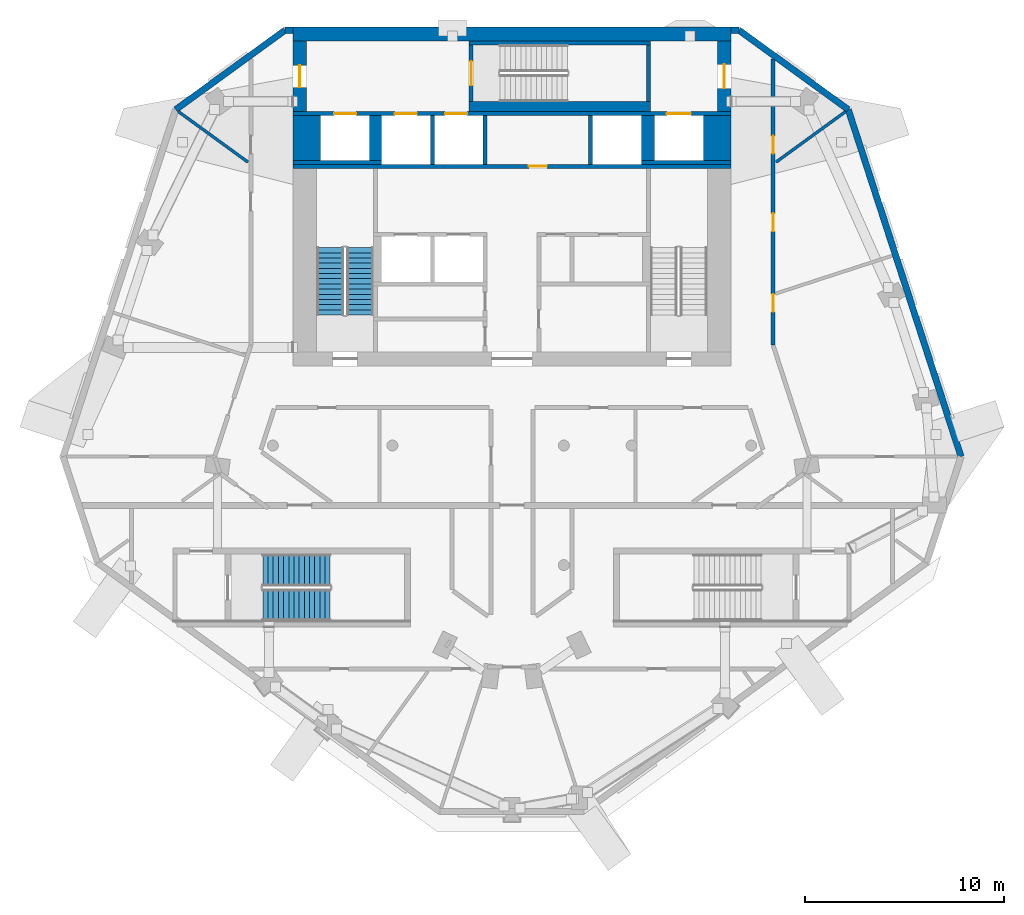
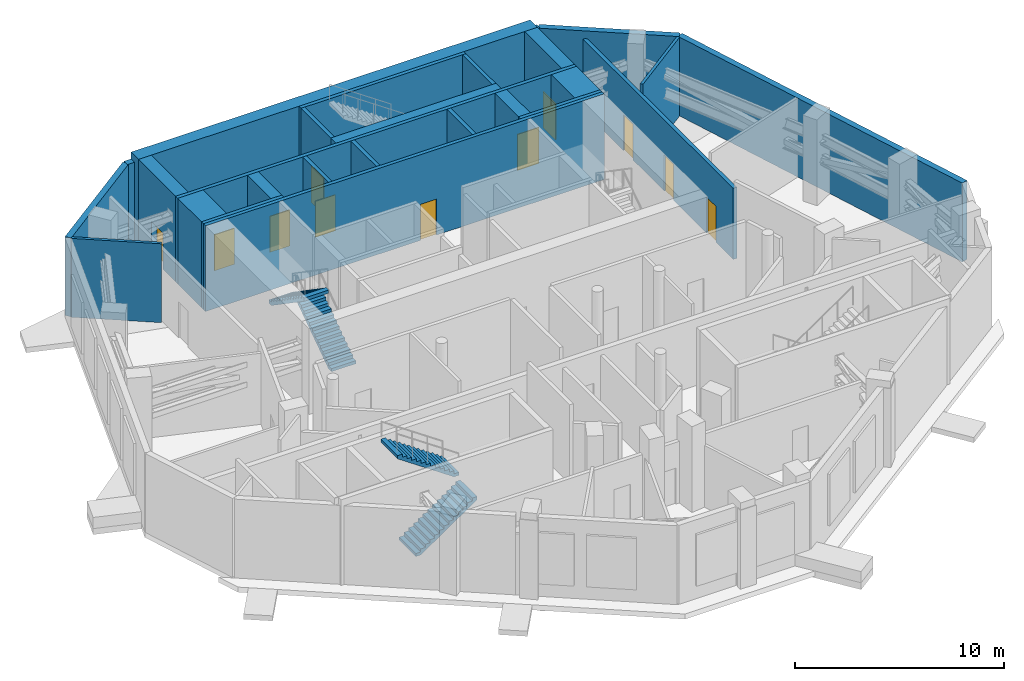
# One storey, part 9 of 15: 26 walls, 11 doors, 4 stair flights, 11 openings, 2 elements without a shape of their own.
"""IFC4 building model written with IfcOpenShell, lengths in metres."""

from ifc_helpers import new_model, si_unit, direction, frame, frame_2d, origin, place, context, subcontext, project, spatial, polyline, rectangle, outline, extrude, material, layer, layer_set, type_object, element, fill, aggregate, save


model = new_model("IFC4")

# Units and contexts
model_context = context("Model", 3, precision=1e-05, world=origin(), true_north=direction((0.0, 1.0)))
body_context = subcontext(model_context, "Body", "Model", "MODEL_VIEW")
ifc_project = project(units=[si_unit("LENGTHUNIT", "METRE"), si_unit("AREAUNIT", "SQUARE_METRE"), si_unit("VOLUMEUNIT", "CUBIC_METRE"), si_unit("PLANEANGLEUNIT", "RADIAN"), si_unit("MASSUNIT", "GRAM", prefix="KILO")], contexts=[model_context])

# Site, building, storey
site_placement = place(None, origin())
site = spatial("IfcSite", under=ifc_project, at=site_placement, CompositionType="ELEMENT")
building_placement = place(site_placement, origin())
building = spatial("IfcBuilding", under=site, at=building_placement, Name="White Candle Pilgrim Tower", CompositionType="ELEMENT")
storey_placement = place(building_placement, frame((0.0, 0.0, 295.10009765625)))
storey = spatial("IfcBuildingStorey", under=building, at=storey_placement, Name="L70", CompositionType="ELEMENT", Elevation=295.10009765625)

# Walls
ifc_material_1 = material(Name="Concrete C50/60", Category="concrete")
ifc_layer_1 = layer(ifc_material_1, 1.39990234375)
ifc_layer_set_1 = layer_set([ifc_layer_1], Name="Core wall 1400 mm Concrete C50/60")
wall_type_1 = type_object("IfcWallType", Name="Core wall 1400 mm Concrete C50/60", PredefinedType="SHEAR", material=ifc_layer_set_1)
for number, where, z_axis, x_axis, name in (
    (1, (59.699951171875, 81.300048828125, 0.0), (0.0, 0.0, 1.0), (0.0, 1.0, 0.0), "WL-L70-C41"),
    (2, (80.300048828125, 81.300048828125, 0.0), (0.0, 0.0, 1.0), (0.0, 1.0, 0.0), "WL-L70-C44"),
):
    element("IfcWall", number, at=place(storey_placement, frame(where, z_axis=z_axis, x_axis=x_axis)), inside=storey, type_object=wall_type_1, Name=name, PredefinedType="SHEAR", context=body_context, shape_type="SweptSolid", body=[
        extrude(rectangle(XDim=2.25, YDim=1.39990234375, at=frame_2d((1.125, 0.0))), origin(), (0.0, 0.0, 1.0), 5.0),
    ])
ifc_layer_2 = layer(ifc_material_1, 0.199951171875)
ifc_layer_set_2 = layer_set([ifc_layer_2], Name="Core wall 200 mm Concrete C50/60")
wall_type_2 = type_object("IfcWallType", Name="Core wall 200 mm Concrete C50/60", PredefinedType="SHEAR", material=ifc_layer_set_2)
wall_1_placement = place(storey_placement, frame((59.0, 81.199951171875, 0.0), z_axis=(0.0, 0.0, 1.0), x_axis=(1.0, 0.0, 0.0)))
element("IfcWall", 3, at=wall_1_placement, inside=storey, type_object=wall_type_2, Name="WL-L70-C36", PredefinedType="SHEAR", context=body_context, shape_type="SweptSolid", body=[
    extrude(rectangle(XDim=4.449951171875, YDim=0.199951171875, at=frame_2d((2.22509765625, 0.0))), origin(), (0.0, 0.0, 1.0), 5.0),
])
wall_2_placement = place(storey_placement, frame((76.5, 81.199951171875, 0.0), z_axis=(0.0, 0.0, 1.0), x_axis=(1.0, 0.0, 0.0)))
element("IfcWall", 4, at=wall_2_placement, inside=storey, type_object=wall_type_2, Name="WL-L70-C40", PredefinedType="SHEAR", context=body_context, shape_type="SweptSolid", body=[
    extrude(rectangle(XDim=4.5, YDim=0.199951171875, at=frame_2d((2.25, 0.0))), origin(), (0.0, 0.0, 1.0), 5.0),
])

# Wall, openings, doors
wall_3_placement = place(storey_placement, frame((59.0, 83.64990234375, 0.0), z_axis=(0.0, 0.0, 1.0), x_axis=(1.0, 0.0, 0.0)))
wall_3 = element("IfcWall", 5, at=wall_3_placement, inside=storey, type_object=wall_type_2, Name="WL-L70-C45", PredefinedType="SHEAR", context=body_context, shape_type="SweptSolid", body=[
    extrude(rectangle(XDim=22.0, YDim=0.199951171875, at=frame_2d((11.0, 0.0))), origin(), (0.0, 0.0, 1.0), 5.0),
])
opening_1_placement = place(wall_3_placement, frame((5.125, 0.0, 0.0)))
opening_1 = element("IfcOpeningElement", 6, at=opening_1_placement, cuts=wall_3, Name="Opening L70-016", PredefinedType="OPENING", context=body_context, shape_type="SweptSolid", body=[
    extrude(rectangle(XDim=1.10009765625, YDim=2.10009765625, at=frame_2d((0.550048828125, 1.050048828125))), frame((0.0, 0.10986328125, 0.0), z_axis=(0.0, -1.0, 0.0), x_axis=(1.0, 0.0, 0.0)), (0.0, 0.0, 1.0), 0.219970703125),
])
opening_2_placement = place(wall_3_placement, frame((7.64990234375, 0.0, 0.0)))
opening_2 = element("IfcOpeningElement", 7, at=opening_2_placement, cuts=wall_3, Name="Opening L70-017", PredefinedType="OPENING", context=body_context, shape_type="SweptSolid", body=[
    extrude(rectangle(XDim=1.10009765625, YDim=2.10009765625, at=frame_2d((0.550048828125, 1.050048828125))), frame((0.0, 0.10986328125, 0.0), z_axis=(0.0, -1.0, 0.0), x_axis=(1.0, 0.0, 0.0)), (0.0, 0.0, 1.0), 0.219970703125),
])
opening_3_placement = place(wall_3_placement, frame((18.77490234375, 0.0, 0.0)))
opening_3 = element("IfcOpeningElement", 8, at=opening_3_placement, cuts=wall_3, Name="Opening L70-018", PredefinedType="OPENING", context=body_context, shape_type="SweptSolid", body=[
    extrude(rectangle(XDim=1.199951171875, YDim=2.10009765625, at=frame_2d((0.60009765625, 1.050048828125))), frame((0.0, 0.10986328125, 0.0), z_axis=(0.0, -1.0, 0.0), x_axis=(1.0, 0.0, 0.0)), (0.0, 0.0, 1.0), 0.219970703125),
])
opening_4_placement = place(wall_3_placement, frame((2.074951171875, 0.0, 0.0)))
opening_4 = element("IfcOpeningElement", 9, at=opening_4_placement, cuts=wall_3, Name="Opening L70-019", PredefinedType="OPENING", context=body_context, shape_type="SweptSolid", body=[
    extrude(rectangle(XDim=1.10009765625, YDim=2.10009765625, at=frame_2d((0.550048828125, 1.050048828125))), frame((0.0, 0.10986328125, 0.0), z_axis=(0.0, -1.0, 0.0), x_axis=(1.0, 0.0, 0.0)), (0.0, 0.0, 1.0), 0.219970703125),
])
ifc_material_2 = material(Name="Stainless steel", Category="steel")
door_type_1 = type_object("IfcDoorType", Name="Lift landing door 1100 x 2100 EI 60", OperationType="DOUBLE_DOOR_SLIDING", PredefinedType="DOOR", material=ifc_material_2)
door_1_placement = place(opening_1_placement, origin())
door_1 = element("IfcDoor", 10, at=door_1_placement, inside=storey, type_object=door_type_1, Name="Door L70-016", OperationType="DOUBLE_DOOR_SLIDING", OverallHeight=2.10009765625, OverallWidth=1.10009765625, PredefinedType="DOOR", context=body_context, shape_type="SweptSolid", body=[
    extrude(rectangle(XDim=1.10009765625, YDim=2.10009765625, at=frame_2d((0.550048828125, 1.050048828125))), frame((0.0, 0.02490234375, 0.0), z_axis=(0.0, -1.0, 0.0), x_axis=(1.0, 0.0, 0.0)), (0.0, 0.0, 1.0), 0.050048828125),
])
fill(opening_1, door_1)
door_2_placement = place(opening_2_placement, origin())
door_2 = element("IfcDoor", 11, at=door_2_placement, inside=storey, type_object=door_type_1, Name="Door L70-017", OperationType="DOUBLE_DOOR_SLIDING", OverallHeight=2.10009765625, OverallWidth=1.10009765625, PredefinedType="DOOR", context=body_context, shape_type="SweptSolid", body=[
    extrude(rectangle(XDim=1.10009765625, YDim=2.10009765625, at=frame_2d((0.550048828125, 1.050048828125))), frame((0.0, 0.02490234375, 0.0), z_axis=(0.0, -1.0, 0.0), x_axis=(1.0, 0.0, 0.0)), (0.0, 0.0, 1.0), 0.050048828125),
])
fill(opening_2, door_2)
door_3_placement = place(opening_4_placement, origin())
door_3 = element("IfcDoor", 12, at=door_3_placement, inside=storey, type_object=door_type_1, Name="Door L70-019", OperationType="DOUBLE_DOOR_SLIDING", OverallHeight=2.10009765625, OverallWidth=1.10009765625, PredefinedType="DOOR", context=body_context, shape_type="SweptSolid", body=[
    extrude(rectangle(XDim=1.10009765625, YDim=2.10009765625, at=frame_2d((0.550048828125, 1.050048828125))), frame((0.0, 0.02490234375, 0.0), z_axis=(0.0, -1.0, 0.0), x_axis=(1.0, 0.0, 0.0)), (0.0, 0.0, 1.0), 0.050048828125),
])
fill(opening_4, door_3)
door_type_2 = type_object("IfcDoorType", Name="Lift landing door 1200 x 2100 E 60", OperationType="DOUBLE_DOOR_SLIDING", PredefinedType="DOOR", material=ifc_material_2)
door_4_placement = place(opening_3_placement, origin())
door_4 = element("IfcDoor", 13, at=door_4_placement, inside=storey, type_object=door_type_2, Name="Door L70-018", OperationType="DOUBLE_DOOR_SLIDING", OverallHeight=2.10009765625, OverallWidth=1.199951171875, PredefinedType="DOOR", context=body_context, shape_type="SweptSolid", body=[
    extrude(rectangle(XDim=1.199951171875, YDim=2.10009765625, at=frame_2d((0.60009765625, 1.050048828125))), frame((0.0, 0.02490234375, 0.0), z_axis=(0.0, -1.0, 0.0), x_axis=(1.0, 0.0, 0.0)), (0.0, 0.0, 1.0), 0.050048828125),
])
fill(opening_3, door_4)

# Wall, opening, door
ifc_layer_3 = layer(ifc_material_1, 0.699951171875)
ifc_layer_set_3 = layer_set([ifc_layer_3], Name="Core wall 700 mm Concrete C50/60")
wall_type_3 = type_object("IfcWallType", Name="Core wall 700 mm Concrete C50/60", PredefinedType="SHEAR", material=ifc_layer_set_3)
wall_4_placement = place(storey_placement, frame((59.35009765625, 83.75, 0.0), z_axis=(0.0, 0.0, 1.0), x_axis=(0.0, 1.0, 0.0)))
wall_4 = element("IfcWall", 14, at=wall_4_placement, inside=storey, type_object=wall_type_3, Name="WL-L70-C46", PredefinedType="SHEAR", context=body_context, shape_type="SweptSolid", body=[
    extrude(rectangle(XDim=3.550048828125, YDim=0.699951171875, at=frame_2d((1.77490234375, 0.0))), origin(), (0.0, 0.0, 1.0), 5.0),
])
opening_5_placement = place(wall_4_placement, frame((1.22509765625, 0.0, 0.0)))
opening_5 = element("IfcOpeningElement", 15, at=opening_5_placement, cuts=wall_4, Name="Opening L70-008", PredefinedType="OPENING", context=body_context, shape_type="SweptSolid", body=[
    extrude(rectangle(XDim=1.10009765625, YDim=2.10009765625, at=frame_2d((0.550048828125, 1.050048828125))), frame((0.0, 0.35986328125, 0.0), z_axis=(0.0, -1.0, 0.0), x_axis=(1.0, 0.0, 0.0)), (0.0, 0.0, 1.0), 0.719970703125),
])
ifc_material_3 = material(Name="Steel door leaf", Category="steel")
door_type_3 = type_object("IfcDoorType", Name="Fire door 1100 x 2100 EI 60", OperationType="NOTDEFINED", PredefinedType="DOOR", material=ifc_material_3)
door_5_placement = place(opening_5_placement, origin())
door_5 = element("IfcDoor", 16, at=door_5_placement, inside=storey, type_object=door_type_3, Name="Door L70-008", OperationType="SINGLE_SWING_RIGHT", OverallHeight=2.10009765625, OverallWidth=1.10009765625, PredefinedType="DOOR", context=body_context, shape_type="SweptSolid", body=[
    extrude(rectangle(XDim=1.10009765625, YDim=2.10009765625, at=frame_2d((0.550048828125, 1.050048828125))), frame((0.0, 0.02490234375, 0.0), z_axis=(0.0, -1.0, 0.0), x_axis=(1.0, 0.0, 0.0)), (0.0, 0.0, 1.0), 0.050048828125),
])
fill(opening_5, door_5)

wall_5_placement = place(storey_placement, frame((80.64990234375, 83.75, 0.0), z_axis=(0.0, 0.0, 1.0), x_axis=(0.0, 1.0, 0.0)))
wall_5 = element("IfcWall", 17, at=wall_5_placement, inside=storey, type_object=wall_type_3, Name="WL-L70-C48", PredefinedType="SHEAR", context=body_context, shape_type="SweptSolid", body=[
    extrude(rectangle(XDim=3.550048828125, YDim=0.699951171875, at=frame_2d((1.77490234375, 0.0))), origin(), (0.0, 0.0, 1.0), 5.0),
])
opening_6_placement = place(wall_5_placement, frame((1.175048828125, 0.0, 0.0)))
opening_6 = element("IfcOpeningElement", 18, at=opening_6_placement, cuts=wall_5, Name="Opening L70-009", PredefinedType="OPENING", context=body_context, shape_type="SweptSolid", body=[
    extrude(rectangle(XDim=1.199951171875, YDim=2.10009765625, at=frame_2d((0.60009765625, 1.050048828125))), frame((0.0, 0.35986328125, 0.0), z_axis=(0.0, -1.0, 0.0), x_axis=(1.0, 0.0, 0.0)), (0.0, 0.0, 1.0), 0.719970703125),
])
door_type_4 = type_object("IfcDoorType", Name="Fire door 1200 x 2100 EI 30", OperationType="NOTDEFINED", PredefinedType="DOOR", material=ifc_material_3)
door_6_placement = place(opening_6_placement, origin())
door_6 = element("IfcDoor", 19, at=door_6_placement, inside=storey, type_object=door_type_4, Name="Door L70-009", OperationType="SINGLE_SWING_LEFT", OverallHeight=2.10009765625, OverallWidth=1.199951171875, PredefinedType="DOOR", context=body_context, shape_type="SweptSolid", body=[
    extrude(rectangle(XDim=1.199951171875, YDim=2.10009765625, at=frame_2d((0.60009765625, 1.050048828125))), frame((0.0, 0.02490234375, 0.0), z_axis=(0.0, -1.0, 0.0), x_axis=(1.0, 0.0, 0.0)), (0.0, 0.0, 1.0), 0.050048828125),
])
fill(opening_6, door_6)

# Wall
wall_6_placement = place(storey_placement, frame((59.0, 87.64990234375, 0.0), z_axis=(0.0, 0.0, 1.0), x_axis=(1.0, 0.0, 0.0)))
element("IfcWall", 20, at=wall_6_placement, inside=storey, type_object=wall_type_3, Name="WL-L70-C52", PredefinedType="SHEAR", context=body_context, shape_type="SweptSolid", body=[
    extrude(rectangle(XDim=22.0, YDim=0.699951171875, at=frame_2d((11.0, 0.0))), origin(), (0.0, 0.0, 1.0), 5.0),
])

# Wall, openings, doors
ifc_material_4 = material(Name="Gypsum board on steel studs", Category="steel")
ifc_layer_4 = layer(ifc_material_4, 0.199951171875)
ifc_layer_set_4 = layer_set([ifc_layer_4], Name="Corridor wall 200 mm EI 45")
wall_type_4 = type_object("IfcWallType", Name="Corridor wall 200 mm EI 45", PredefinedType="PARTITIONING", material=ifc_layer_set_4)
wall_7_placement = place(storey_placement, frame((83.10009765625, 86.396240234375, 0.0), z_axis=(0.0, 0.0, 1.0), x_axis=(0.0, -1.0, 0.0)))
wall_7 = element("IfcWall", 21, at=wall_7_placement, inside=storey, type_object=wall_type_4, Name="WL-L70-P007", PredefinedType="PARTITIONING", context=body_context, shape_type="SweptSolid", body=[
    extrude(rectangle(XDim=14.3466796875, YDim=0.199951171875, at=frame_2d((7.17333984375, 0.0))), origin(), (0.0, 0.0, 1.0), 4.14990234375),
])
opening_7_placement = place(wall_7_placement, frame((3.85400390625, 0.0, 0.0)))
opening_7 = element("IfcOpeningElement", 22, at=opening_7_placement, cuts=wall_7, Name="Opening L70-113", PredefinedType="OPENING", context=body_context, shape_type="SweptSolid", body=[
    extrude(rectangle(XDim=0.89990234375, YDim=2.10009765625, at=frame_2d((0.449951171875, 1.050048828125))), frame((0.0, 0.10986328125, 0.0), z_axis=(0.0, -1.0, 0.0), x_axis=(1.0, 0.0, 0.0)), (0.0, 0.0, 1.0), 0.219970703125),
])
opening_8_placement = place(wall_7_placement, frame((7.7509765625, 0.0, 0.0)))
opening_8 = element("IfcOpeningElement", 23, at=opening_8_placement, cuts=wall_7, Name="Opening L70-114", PredefinedType="OPENING", context=body_context, shape_type="SweptSolid", body=[
    extrude(rectangle(XDim=0.89990234375, YDim=2.10009765625, at=frame_2d((0.449951171875, 1.050048828125))), frame((0.0, 0.10986328125, 0.0), z_axis=(0.0, -1.0, 0.0), x_axis=(1.0, 0.0, 0.0)), (0.0, 0.0, 1.0), 0.219970703125),
])
opening_9_placement = place(wall_7_placement, frame((11.794677734375, 0.0, 0.0)))
opening_9 = element("IfcOpeningElement", 24, at=opening_9_placement, cuts=wall_7, Name="Opening L70-115", PredefinedType="OPENING", context=body_context, shape_type="SweptSolid", body=[
    extrude(rectangle(XDim=0.89990234375, YDim=2.10009765625, at=frame_2d((0.449951171875, 1.050048828125))), frame((0.0, 0.10986328125, 0.0), z_axis=(0.0, -1.0, 0.0), x_axis=(1.0, 0.0, 0.0)), (0.0, 0.0, 1.0), 0.219970703125),
])
door_type_5 = type_object("IfcDoorType", Name="Fire door 900 x 2100 EI 30", OperationType="NOTDEFINED", PredefinedType="DOOR", material=ifc_material_3)
door_7_placement = place(opening_7_placement, origin())
door_7 = element("IfcDoor", 25, at=door_7_placement, inside=storey, type_object=door_type_5, Name="Door L70-113", OperationType="SINGLE_SWING_LEFT", OverallHeight=2.10009765625, OverallWidth=0.89990234375, PredefinedType="DOOR", context=body_context, shape_type="SweptSolid", body=[
    extrude(rectangle(XDim=0.89990234375, YDim=2.10009765625, at=frame_2d((0.449951171875, 1.050048828125))), frame((0.0, 0.02490234375, 0.0), z_axis=(0.0, -1.0, 0.0), x_axis=(1.0, 0.0, 0.0)), (0.0, 0.0, 1.0), 0.050048828125),
])
fill(opening_7, door_7)
door_8_placement = place(opening_8_placement, origin())
door_8 = element("IfcDoor", 26, at=door_8_placement, inside=storey, type_object=door_type_5, Name="Door L70-114", OperationType="SINGLE_SWING_RIGHT", OverallHeight=2.10009765625, OverallWidth=0.89990234375, PredefinedType="DOOR", context=body_context, shape_type="SweptSolid", body=[
    extrude(rectangle(XDim=0.89990234375, YDim=2.10009765625, at=frame_2d((0.449951171875, 1.050048828125))), frame((0.0, 0.02490234375, 0.0), z_axis=(0.0, -1.0, 0.0), x_axis=(1.0, 0.0, 0.0)), (0.0, 0.0, 1.0), 0.050048828125),
])
fill(opening_8, door_8)
door_9_placement = place(opening_9_placement, origin())
door_9 = element("IfcDoor", 27, at=door_9_placement, inside=storey, type_object=door_type_5, Name="Door L70-115", OperationType="SINGLE_SWING_LEFT", OverallHeight=2.10009765625, OverallWidth=0.89990234375, PredefinedType="DOOR", context=body_context, shape_type="SweptSolid", body=[
    extrude(rectangle(XDim=0.89990234375, YDim=2.10009765625, at=frame_2d((0.449951171875, 1.050048828125))), frame((0.0, 0.02490234375, 0.0), z_axis=(0.0, -1.0, 0.0), x_axis=(1.0, 0.0, 0.0)), (0.0, 0.0, 1.0), 0.050048828125),
])
fill(opening_9, door_9)

# Walls
ifc_material_5 = material(Name="Precast concrete C40/50", Category="concrete")
ifc_layer_5 = layer(ifc_material_5, 0.320068359375)
ifc_layer_set_5 = layer_set([ifc_layer_5], Name="Facade wall EW2 precast concrete C40/50 plant wall behind louvres")
wall_type_5 = type_object("IfcWallType", Name="Facade wall EW2 precast concrete C40/50 plant wall behind louvres", PredefinedType="SOLIDWALL", material=ifc_layer_set_5)
wall_8_placement = place(storey_placement, frame((92.529052734375, 66.443359375, 0.0), z_axis=(0.0, 0.0, 1.0), x_axis=(-0.30902093442, 0.951055236088, 0.0)))
element("IfcWall", 28, at=wall_8_placement, inside=storey, type_object=wall_type_5, Name="Facade wall L70 ENE", PredefinedType="SOLIDWALL", context=body_context, shape_type="SweptSolid", body=[
    extrude(rectangle(XDim=18.30615234375, YDim=0.320068359375, at=frame_2d((9.153076171875, 0.0))), origin(), (0.0, 0.0, 1.0), 4.599853515625),
])
wall_9_placement = place(storey_placement, frame((86.8720703125, 83.853515625, 0.0), z_axis=(0.0, 0.0, 1.0), x_axis=(-0.809017735842, 0.587784231749, 0.0)))
element("IfcWall", 29, at=wall_9_placement, inside=storey, type_object=wall_type_5, Name="Facade wall L70 NE chamfer", PredefinedType="SOLIDWALL", context=body_context, shape_type="SweptSolid", body=[
    extrude(rectangle(XDim=6.782470703125, YDim=0.320068359375, at=frame_2d((3.39111328125, 0.0))), origin(), (0.0, 0.0, 1.0), 4.599853515625),
])
for number, where, z_axis, x_axis, name in (
    (30, (81.385009765625, 87.840087890625, 0.0), (0.0, 0.0, 1.0), (-1.0, 0.0, 0.0), "Facade wall L70 N"),
    (31, (59.0, 87.840087890625, 0.0), (0.0, 0.0, 1.0), (-1.0, 0.0, 0.0), "Facade wall L70 N"),
):
    element("IfcWall", number, at=place(storey_placement, frame(where, z_axis=z_axis, x_axis=x_axis)), inside=storey, type_object=wall_type_5, Name=name, PredefinedType="SOLIDWALL", context=body_context, shape_type="SweptSolid", body=[
        extrude(rectangle(XDim=0.385009765625, YDim=0.320068359375, at=frame_2d((0.1923828125, 0.0))), origin(), (0.0, 0.0, 1.0), 4.599853515625),
    ])
wall_10_placement = place(storey_placement, frame((58.614990234375, 87.840087890625, 0.0), z_axis=(0.0, 0.0, 1.0), x_axis=(-0.809017735842, -0.587784231749, 0.0)))
element("IfcWall", 32, at=wall_10_placement, inside=storey, type_object=wall_type_5, Name="Facade wall L70 NW chamfer", PredefinedType="SOLIDWALL", context=body_context, shape_type="SweptSolid", body=[
    extrude(rectangle(XDim=6.782470703125, YDim=0.320068359375, at=frame_2d((3.39111328125, 0.0))), origin(), (0.0, 0.0, 1.0), 4.599853515625),
])
ifc_layer_6 = layer(ifc_material_4, 0.14990234375)
ifc_layer_set_6 = layer_set([ifc_layer_6], Name="Partition 150 mm EI 60")
wall_type_6 = type_object("IfcWallType", Name="Partition 150 mm EI 60", PredefinedType="PARTITIONING", material=ifc_layer_set_6)
for number, where, z_axis, x_axis, name in (
    (33, (53.263916015625, 83.75439453125, 0.0), (0.0, 0.0, 1.0), (0.809036838554, -0.587757938154, 0.0), "WL-L70-P029"),
    (34, (86.736083984375, 83.75439453125, 0.0), (0.0, 0.0, 1.0), (-0.809036838554, -0.587757938154, 0.0), "WL-L70-P038"),
):
    element("IfcWall", number, at=place(storey_placement, frame(where, z_axis=z_axis, x_axis=x_axis)), inside=storey, type_object=wall_type_6, Name=name, PredefinedType="PARTITIONING", context=body_context, shape_type="SweptSolid", body=[
        extrude(rectangle(XDim=4.316162109375, YDim=0.14990234375, at=frame_2d((2.158203125, 0.0))), origin(), (0.0, 0.0, 1.0), 4.599853515625),
    ])
ifc_layer_7 = layer(ifc_material_1, 0.199951171875)
ifc_layer_set_7 = layer_set([ifc_layer_7], Name="Shaft wall 200 mm Concrete C50/60")
wall_type_7 = type_object("IfcWallType", Name="Shaft wall 200 mm Concrete C50/60", PredefinedType="SHEAR", material=ifc_layer_set_7)
for number, where, z_axis, x_axis, name in (
    (35, (66.0, 81.10009765625, 0.0), (0.0, 0.0, 1.0), (0.0, 1.0, 0.0), "WL-L70-C37"),
    (36, (68.64990234375, 81.10009765625, 0.0), (0.0, 0.0, 1.0), (0.0, 1.0, 0.0), "WL-L70-C38"),
    (37, (73.949951171875, 81.10009765625, 0.0), (0.0, 0.0, 1.0), (0.0, 1.0, 0.0), "WL-L70-C39"),
):
    element("IfcWall", number, at=place(storey_placement, frame(where, z_axis=z_axis, x_axis=x_axis)), inside=storey, type_object=wall_type_7, Name=name, PredefinedType="SHEAR", context=body_context, shape_type="SweptSolid", body=[
        extrude(rectangle(XDim=2.449951171875, YDim=0.199951171875, at=frame_2d((1.22509765625, 0.0))), origin(), (0.0, 0.0, 1.0), 5.0),
    ])
ifc_layer_8 = layer(ifc_material_1, 0.60009765625)
ifc_layer_set_8 = layer_set([ifc_layer_8], Name="Shaft wall 600 mm Concrete C50/60")
wall_type_8 = type_object("IfcWallType", Name="Shaft wall 600 mm Concrete C50/60", PredefinedType="SHEAR", material=ifc_layer_set_8)
wall_11_placement = place(storey_placement, frame((63.14990234375, 81.300048828125, 0.0), z_axis=(0.0, 0.0, 1.0), x_axis=(0.0, 1.0, 0.0)))
element("IfcWall", 38, at=wall_11_placement, inside=storey, type_object=wall_type_8, Name="WL-L70-C42", PredefinedType="SHEAR", context=body_context, shape_type="SweptSolid", body=[
    extrude(rectangle(XDim=2.25, YDim=0.60009765625, at=frame_2d((1.125, 0.0))), origin(), (0.0, 0.0, 1.0), 5.0),
])
ifc_layer_9 = layer(ifc_material_1, 0.64990234375)
ifc_layer_set_9 = layer_set([ifc_layer_9], Name="Shaft wall 650 mm Concrete C50/60")
wall_type_9 = type_object("IfcWallType", Name="Shaft wall 650 mm Concrete C50/60", PredefinedType="SHEAR", material=ifc_layer_set_9)
wall_12_placement = place(storey_placement, frame((76.824951171875, 81.300048828125, 0.0), z_axis=(0.0, 0.0, 1.0), x_axis=(0.0, 1.0, 0.0)))
element("IfcWall", 39, at=wall_12_placement, inside=storey, type_object=wall_type_9, Name="WL-L70-C43", PredefinedType="SHEAR", context=body_context, shape_type="SweptSolid", body=[
    extrude(rectangle(XDim=2.25, YDim=0.64990234375, at=frame_2d((1.125, 0.0))), origin(), (0.0, 0.0, 1.0), 5.0),
])

# Wall, opening, door
ifc_layer_10 = layer(ifc_material_1, 0.199951171875)
ifc_layer_set_10 = layer_set([ifc_layer_10], Name="Stair shaft wall 200 mm Concrete C50/60")
wall_type_10 = type_object("IfcWallType", Name="Stair shaft wall 200 mm Concrete C50/60", PredefinedType="SHEAR", material=ifc_layer_set_10)
wall_13_placement = place(storey_placement, frame((59.0, 81.0, 0.0), z_axis=(0.0, 0.0, 1.0), x_axis=(1.0, 0.0, 0.0)))
wall_13 = element("IfcWall", 40, at=wall_13_placement, inside=storey, type_object=wall_type_10, Name="WL-L70-C35", PredefinedType="SHEAR", context=body_context, shape_type="SweptSolid", body=[
    extrude(rectangle(XDim=22.0, YDim=0.199951171875, at=frame_2d((11.0, 0.0))), origin(), (0.0, 0.0, 1.0), 5.0),
])
opening_10_placement = place(wall_13_placement, frame((11.85009765625, 0.0, 0.0)))
opening_10 = element("IfcOpeningElement", 41, at=opening_10_placement, cuts=wall_13, Name="Opening L70-022", PredefinedType="OPENING", context=body_context, shape_type="SweptSolid", body=[
    extrude(rectangle(XDim=0.89990234375, YDim=2.10009765625, at=frame_2d((0.449951171875, 1.050048828125))), frame((0.0, 0.10986328125, 0.0), z_axis=(0.0, -1.0, 0.0), x_axis=(1.0, 0.0, 0.0)), (0.0, 0.0, 1.0), 0.219970703125),
])
door_10_placement = place(opening_10_placement, origin())
door_10 = element("IfcDoor", 42, at=door_10_placement, inside=storey, type_object=door_type_5, Name="Door L70-022", OperationType="SINGLE_SWING_RIGHT", OverallHeight=2.10009765625, OverallWidth=0.89990234375, PredefinedType="DOOR", context=body_context, shape_type="SweptSolid", body=[
    extrude(rectangle(XDim=0.89990234375, YDim=2.10009765625, at=frame_2d((0.449951171875, 1.050048828125))), frame((0.0, 0.02490234375, 0.0), z_axis=(0.0, -1.0, 0.0), x_axis=(1.0, 0.0, 0.0)), (0.0, 0.0, 1.0), 0.050048828125),
])
fill(opening_10, door_10)

wall_14_placement = place(storey_placement, frame((67.949951171875, 84.25, 0.0), z_axis=(0.0, 0.0, 1.0), x_axis=(0.0, 1.0, 0.0)))
wall_14 = element("IfcWall", 43, at=wall_14_placement, inside=storey, type_object=wall_type_10, Name="WL-L70-C49", PredefinedType="SHEAR", context=body_context, shape_type="SweptSolid", body=[
    extrude(rectangle(XDim=2.85009765625, YDim=0.199951171875, at=frame_2d((1.425048828125, 0.0))), origin(), (0.0, 0.0, 1.0), 5.0),
])
opening_11_placement = place(wall_14_placement, frame((0.824951171875, 0.0, 0.0)))
opening_11 = element("IfcOpeningElement", 44, at=opening_11_placement, cuts=wall_14, Name="Opening L70-003", PredefinedType="OPENING", context=body_context, shape_type="SweptSolid", body=[
    extrude(rectangle(XDim=1.199951171875, YDim=2.10009765625, at=frame_2d((0.60009765625, 1.050048828125))), frame((0.0, 0.10986328125, 0.0), z_axis=(0.0, -1.0, 0.0), x_axis=(1.0, 0.0, 0.0)), (0.0, 0.0, 1.0), 0.219970703125),
])
door_type_6 = type_object("IfcDoorType", Name="Fire door 1200 x 2100 EI 60", OperationType="NOTDEFINED", PredefinedType="DOOR", material=ifc_material_3)
door_11_placement = place(opening_11_placement, frame((1.199951171875, 0.0, 0.0), z_axis=(0.0, 0.0, 1.0), x_axis=(-1.0, 0.0, 0.0)))
door_11 = element("IfcDoor", 45, at=door_11_placement, inside=storey, type_object=door_type_6, Name="Door L70-003", OperationType="SINGLE_SWING_RIGHT", OverallHeight=2.10009765625, OverallWidth=1.199951171875, PredefinedType="DOOR", context=body_context, shape_type="SweptSolid", body=[
    extrude(rectangle(XDim=1.199951171875, YDim=2.10009765625, at=frame_2d((0.60009765625, 1.050048828125))), frame((0.0, 0.02490234375, 0.0), z_axis=(0.0, -1.0, 0.0), x_axis=(1.0, 0.0, 0.0)), (0.0, 0.0, 1.0), 0.050048828125),
])
fill(opening_11, door_11)

# Walls
wall_15_placement = place(storey_placement, frame((76.85009765625, 84.25, 0.0), z_axis=(0.0, 0.0, 1.0), x_axis=(0.0, 1.0, 0.0)))
element("IfcWall", 46, at=wall_15_placement, inside=storey, type_object=wall_type_10, Name="WL-L70-C50", PredefinedType="SHEAR", context=body_context, shape_type="SweptSolid", body=[
    extrude(rectangle(XDim=2.85009765625, YDim=0.199951171875, at=frame_2d((1.425048828125, 0.0))), origin(), (0.0, 0.0, 1.0), 5.0),
])
wall_16_placement = place(storey_placement, frame((67.85009765625, 87.199951171875, 0.0), z_axis=(0.0, 0.0, 1.0), x_axis=(1.0, 0.0, 0.0)))
element("IfcWall", 47, at=wall_16_placement, inside=storey, type_object=wall_type_10, Name="WL-L70-C51", PredefinedType="SHEAR", context=body_context, shape_type="SweptSolid", body=[
    extrude(rectangle(XDim=9.099853515625, YDim=0.199951171875, at=frame_2d((4.5498046875, 0.0))), origin(), (0.0, 0.0, 1.0), 5.0),
])
ifc_layer_11 = layer(ifc_material_1, 0.5)
ifc_layer_set_11 = layer_set([ifc_layer_11], Name="Stair shaft wall 500 mm Concrete C50/60")
wall_type_11 = type_object("IfcWallType", Name="Stair shaft wall 500 mm Concrete C50/60", PredefinedType="SHEAR", material=ifc_layer_set_11)
wall_17_placement = place(storey_placement, frame((67.85009765625, 84.0, 0.0), z_axis=(0.0, 0.0, 1.0), x_axis=(1.0, 0.0, 0.0)))
element("IfcWall", 48, at=wall_17_placement, inside=storey, type_object=wall_type_11, Name="WL-L70-C47", PredefinedType="SHEAR", context=body_context, shape_type="SweptSolid", body=[
    extrude(rectangle(XDim=9.099853515625, YDim=0.5, at=frame_2d((4.5498046875, 0.0))), origin(), (0.0, 0.0, 1.0), 5.0),
])

# Stair, stair flights
ifc_material_6 = material(Name="Concrete C40/50", Category="concrete")
stair_type_1 = type_object("IfcStairType", Name="Exit stair 1 flight width 1350 mm", PredefinedType="HALF_TURN_STAIR", material=ifc_material_6)
stair_1_placement = place(storey_placement, origin())
stair_1 = element("IfcStair", 49, at=stair_1_placement, inside=storey, type_object=stair_type_1, Name="L70 stair 1", PredefinedType="NOTDEFINED")
ifc_layer_12 = layer(ifc_material_6, 0.14990234375)
ifc_layer_set_12 = layer_set([ifc_layer_12], Name="Stair flight Concrete C40/50")
stair_flight_type = type_object("IfcStairFlightType", Name="Stair flight Concrete C40/50", PredefinedType="STRAIGHT", material=ifc_layer_set_12)
stair_flight_1_placement = place(storey_placement, frame((62.375, 73.550048828125, 0.0), z_axis=(0.0, 0.0, 1.0), x_axis=(0.0, 1.0, 0.0)))
stair_flight_1 = element("IfcStairFlight", 50, at=stair_flight_1_placement, type_object=stair_flight_type, Name="ST1 flight 1", NumberOfRisers=14, NumberOfTreads=13, PredefinedType="NOTDEFINED", RiserHeight=0.178571429, TreadLength=0.26, context=body_context, shape_type="SweptSolid", body=[
    extrude(outline(polyline([(0.0, 0.0), (0.0, 0.178466796875), (0.260009765625, 0.178466796875), (0.260009765625, 0.357177734375), (0.52001953125, 0.357177734375), (0.52001953125, 0.53564453125), (0.780029296875, 0.53564453125), (0.780029296875, 0.71435546875), (1.0400390625, 0.71435546875), (1.0400390625, 0.892822265625), (1.300048828125, 0.892822265625), (1.300048828125, 1.071533203125), (1.56005859375, 1.071533203125), (1.56005859375, 1.25), (1.820068359375, 1.25), (1.820068359375, 1.428466796875), (2.080078125, 1.428466796875), (2.080078125, 1.607177734375), (2.340087890625, 1.607177734375), (2.340087890625, 1.78564453125), (2.60009765625, 1.78564453125), (2.60009765625, 1.96435546875), (2.860107421875, 1.96435546875), (2.860107421875, 2.142822265625), (3.1201171875, 2.142822265625), (3.1201171875, 2.321533203125), (3.3798828125, 2.321533203125), (3.3798828125, 2.5), (3.3798828125, 2.1396484375), (0.264892578125, 0.0), (0.0, 0.0)])), frame((0.0, 0.675048828125, 0.0), z_axis=(0.0, -1.0, 0.0), x_axis=(1.0, 0.0, 0.0)), (0.0, 0.0, 1.0), 1.35009765625),
])
stair_flight_2_placement = place(storey_placement, frame((60.875, 76.929931640625, 2.5), z_axis=(0.0, 0.0, 1.0), x_axis=(0.0, -1.0, 0.0)))
stair_flight_2 = element("IfcStairFlight", 51, at=stair_flight_2_placement, type_object=stair_flight_type, Name="ST1 flight 2", NumberOfRisers=14, NumberOfTreads=13, PredefinedType="NOTDEFINED", RiserHeight=0.178571429, TreadLength=0.26, context=body_context, shape_type="SweptSolid", body=[
    extrude(outline(polyline([(0.0, 0.0), (0.0, 0.178466796875), (0.260009765625, 0.178466796875), (0.260009765625, 0.357177734375), (0.52001953125, 0.357177734375), (0.52001953125, 0.53564453125), (0.780029296875, 0.53564453125), (0.780029296875, 0.71435546875), (1.0400390625, 0.71435546875), (1.0400390625, 0.892822265625), (1.300048828125, 0.892822265625), (1.300048828125, 1.071533203125), (1.56005859375, 1.071533203125), (1.56005859375, 1.25), (1.820068359375, 1.25), (1.820068359375, 1.428466796875), (2.080078125, 1.428466796875), (2.080078125, 1.607177734375), (2.340087890625, 1.607177734375), (2.340087890625, 1.78564453125), (2.60009765625, 1.78564453125), (2.60009765625, 1.96435546875), (2.860107421875, 1.96435546875), (2.860107421875, 2.142822265625), (3.1201171875, 2.142822265625), (3.1201171875, 2.321533203125), (3.3798828125, 2.321533203125), (3.3798828125, 2.5), (3.3798828125, 2.1396484375), (0.264892578125, 0.0), (0.0, 0.0)])), frame((0.0, 0.675048828125, 0.0), z_axis=(0.0, -1.0, 0.0), x_axis=(1.0, 0.0, 0.0)), (0.0, 0.0, 1.0), 1.35009765625),
])
aggregate(stair_1, [stair_flight_1, stair_flight_2])

stair_type_2 = type_object("IfcStairType", Name="Exit stair 5 flight width 1600 mm", PredefinedType="HALF_TURN_STAIR", material=ifc_material_6)
stair_2_placement = place(storey_placement, origin())
stair_2 = element("IfcStair", 52, at=stair_2_placement, inside=storey, type_object=stair_type_2, Name="L70 stair 5", PredefinedType="NOTDEFINED")
stair_flight_3_placement = place(storey_placement, frame((57.5, 59.0, 0.0), z_axis=(0.0, 0.0, 1.0), x_axis=(1.0, 0.0, 0.0)))
stair_flight_3 = element("IfcStairFlight", 53, at=stair_flight_3_placement, type_object=stair_flight_type, Name="ST5 flight 1", NumberOfRisers=14, NumberOfTreads=13, PredefinedType="NOTDEFINED", RiserHeight=0.178571429, TreadLength=0.26, context=body_context, shape_type="SweptSolid", body=[
    extrude(outline(polyline([(0.0, 0.0), (0.0, 0.178466796875), (0.260009765625, 0.178466796875), (0.260009765625, 0.357177734375), (0.52001953125, 0.357177734375), (0.52001953125, 0.53564453125), (0.780029296875, 0.53564453125), (0.780029296875, 0.71435546875), (1.0400390625, 0.71435546875), (1.0400390625, 0.892822265625), (1.300048828125, 0.892822265625), (1.300048828125, 1.071533203125), (1.56005859375, 1.071533203125), (1.56005859375, 1.25), (1.820068359375, 1.25), (1.820068359375, 1.428466796875), (2.080078125, 1.428466796875), (2.080078125, 1.607177734375), (2.340087890625, 1.607177734375), (2.340087890625, 1.78564453125), (2.60009765625, 1.78564453125), (2.60009765625, 1.96435546875), (2.860107421875, 1.96435546875), (2.860107421875, 2.142822265625), (3.1201171875, 2.142822265625), (3.1201171875, 2.321533203125), (3.3798828125, 2.321533203125), (3.3798828125, 2.5), (3.3798828125, 2.1396484375), (0.264892578125, 0.0), (0.0, 0.0)])), frame((0.0, 0.800048828125, 0.0), z_axis=(0.0, -1.0, 0.0), x_axis=(1.0, 0.0, 0.0)), (0.0, 0.0, 1.0), 1.60009765625),
])
stair_flight_4_placement = place(storey_placement, frame((60.8798828125, 60.75, 2.5), z_axis=(0.0, 0.0, 1.0), x_axis=(-1.0, 0.0, 0.0)))
stair_flight_4 = element("IfcStairFlight", 54, at=stair_flight_4_placement, type_object=stair_flight_type, Name="ST5 flight 2", NumberOfRisers=14, NumberOfTreads=13, PredefinedType="NOTDEFINED", RiserHeight=0.178571429, TreadLength=0.26, context=body_context, shape_type="SweptSolid", body=[
    extrude(outline(polyline([(0.0, 0.0), (0.0, 0.178466796875), (0.260009765625, 0.178466796875), (0.260009765625, 0.357177734375), (0.52001953125, 0.357177734375), (0.52001953125, 0.53564453125), (0.780029296875, 0.53564453125), (0.780029296875, 0.71435546875), (1.0400390625, 0.71435546875), (1.0400390625, 0.892822265625), (1.300048828125, 0.892822265625), (1.300048828125, 1.071533203125), (1.56005859375, 1.071533203125), (1.56005859375, 1.25), (1.820068359375, 1.25), (1.820068359375, 1.428466796875), (2.080078125, 1.428466796875), (2.080078125, 1.607177734375), (2.340087890625, 1.607177734375), (2.340087890625, 1.78564453125), (2.60009765625, 1.78564453125), (2.60009765625, 1.96435546875), (2.860107421875, 1.96435546875), (2.860107421875, 2.142822265625), (3.1201171875, 2.142822265625), (3.1201171875, 2.321533203125), (3.3798828125, 2.321533203125), (3.3798828125, 2.5), (3.3798828125, 2.1396484375), (0.264892578125, 0.0), (0.0, 0.0)])), frame((0.0, 0.800048828125, 0.0), z_axis=(0.0, -1.0, 0.0), x_axis=(1.0, 0.0, 0.0)), (0.0, 0.0, 1.0), 1.60009765625),
])
aggregate(stair_2, [stair_flight_3, stair_flight_4])

save(model, "model.ifc")
